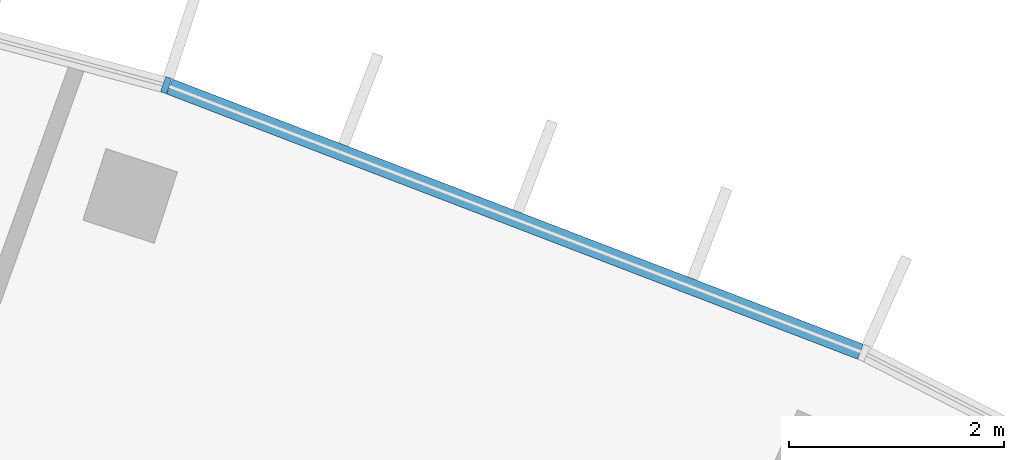
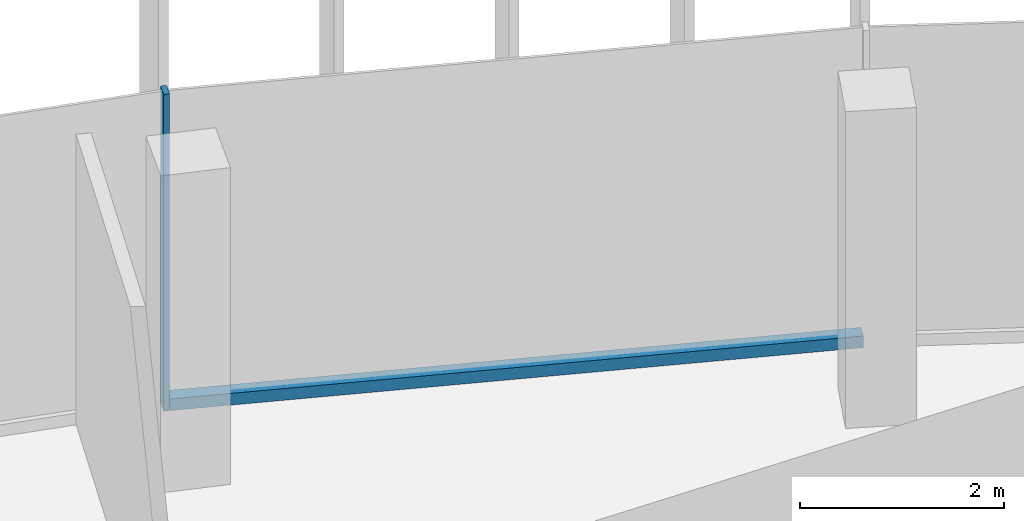
# One storey, part 10 of 19: 2 members, 1 element without a shape of its own.
"""IFC4 building model written with IfcOpenShell, lengths in metres."""

from ifc_helpers import new_model, si_unit, direction, frame, origin, origin_2d, place, context, subcontext, project, spatial, rectangle, extrude, material, layer, layer_set, material_profile, profile_set, type_object, element, aggregate, save


model = new_model("IFC4")

# Units and contexts
model_context = context("Model", 3, precision=1e-05, world=origin(), true_north=direction((0.0, 1.0)))
body_context = subcontext(model_context, "Body", "Model", "MODEL_VIEW")
ifc_project = project(units=[si_unit("LENGTHUNIT", "METRE"), si_unit("AREAUNIT", "SQUARE_METRE"), si_unit("VOLUMEUNIT", "CUBIC_METRE"), si_unit("PLANEANGLEUNIT", "RADIAN"), si_unit("MASSUNIT", "GRAM", prefix="KILO")], contexts=[model_context])

# Site, building, storey
site_placement = place(None, origin())
site = spatial("IfcSite", under=ifc_project, at=site_placement, CompositionType="ELEMENT")
building_placement = place(site_placement, origin())
building = spatial("IfcBuilding", under=site, at=building_placement, Name="Stone Belt Terrace Tower", CompositionType="ELEMENT")
storey_placement = place(building_placement, frame((0.0, 0.0, 292.199951171875)))
storey = spatial("IfcBuildingStorey", under=building, at=storey_placement, Name="L71", CompositionType="ELEMENT", Elevation=292.199951171875)

# Curtain wall, members
ifc_material = material(Name="Aluminium 6063-T6 anodised frame", Category="aluminium")
ifc_layer = layer(ifc_material, 0.14990234375)
ifc_layer_set = layer_set([ifc_layer], Name="CW-A unitised convex-face curtain wall")
curtain_wall_type = type_object("IfcCurtainWallType", Name="CW-A unitised convex-face curtain wall", PredefinedType="NOTDEFINED", material=ifc_layer_set)
curtain_wall_placement = place(storey_placement, origin())
curtain_wall = element("IfcCurtainWall", 1, at=curtain_wall_placement, inside=storey, type_object=curtain_wall_type, Name="CW-A convex face L71", PredefinedType="NOTDEFINED")
ifc_material_profile_1 = material_profile(ifc_material, rectangle(XDim=0.14990234375, YDim=0.06005859375, at=origin_2d()), Name="Aluminium 6063-T6 60x150")
ifc_profile_set_1 = profile_set([ifc_material_profile_1], Name="Aluminium 6063-T6 anodised frame")
member_type_1 = type_object("IfcMemberType", Name="CW-A mullion 60 x 150", PredefinedType="MULLION", material=ifc_profile_set_1)
member_1_placement = place(storey_placement, frame((20.57275390625, 63.316650390625, 0.0), z_axis=(0.0, 0.0, 1.0), x_axis=(-0.309016994375, -0.951056516295, 0.0)))
member_1 = element("IfcMember", 2, at=member_1_placement, type_object=member_type_1, Name="CW-A mullion 5", PredefinedType="MULLION", context=body_context, shape_type="SweptSolid", body=[
    extrude(rectangle(XDim=0.14990234375, YDim=0.06005859375, at=origin_2d()), origin(), (0.0, 0.0, 1.0), 3.800048828125),
])
ifc_material_profile_2 = material_profile(ifc_material, rectangle(XDim=0.14990234375, YDim=0.139892578125, at=origin_2d()), Name="Aluminium 6063-T6 150x140")
ifc_profile_set_2 = profile_set([ifc_material_profile_2], Name="Aluminium 6063-T6 anodised frame")
member_type_2 = type_object("IfcMemberType", Name="CW-A transom 140 x 150", PredefinedType="USERDEFINED", material=ifc_profile_set_2)
member_2_placement = place(storey_placement, frame((27.046875, 60.83154296875, 0.070068359375), z_axis=(-0.933585210269, 0.358355487146, 0.0), x_axis=(-0.358355487146, -0.933585210269, 0.0)))
member_2 = element("IfcMember", 3, at=member_2_placement, type_object=member_type_2, Name="CW-A transom 4.1", ObjectType="TRANSOM", PredefinedType="USERDEFINED", context=body_context, shape_type="SweptSolid", body=[
    extrude(rectangle(XDim=0.14990234375, YDim=0.139892578125, at=origin_2d()), origin(), (0.0, 0.0, 1.0), 6.900634765625),
])
aggregate(curtain_wall, [member_1, member_2])

save(model, "model.ifc")
